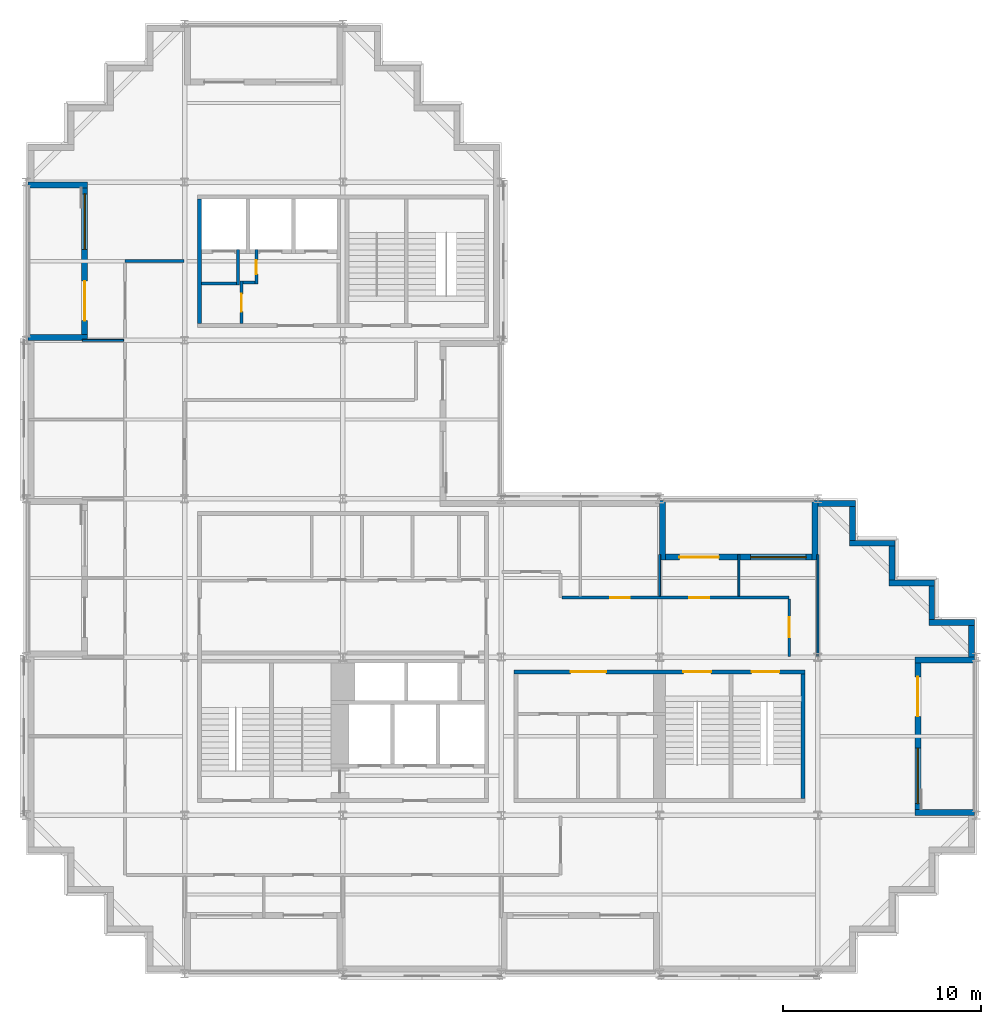
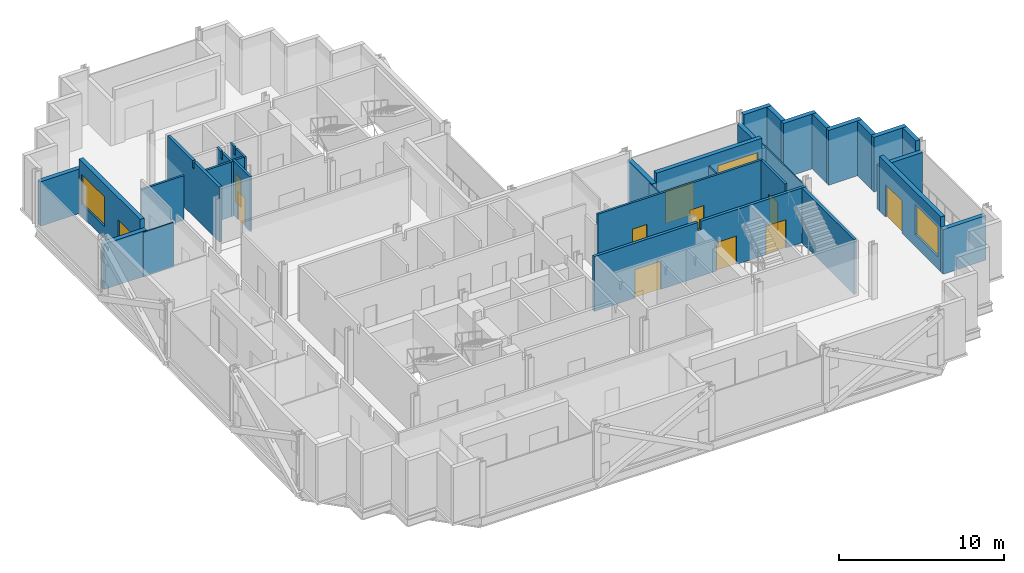
# One storey, part 7 of 11: 32 walls, 11 doors, 3 windows, 14 openings.
"""IFC4 building model written with IfcOpenShell, lengths in metres."""

from ifc_helpers import new_model, si_unit, direction, frame, frame_2d, origin, place, context, subcontext, project, spatial, polyline, rectangle, outline, extrude, material, layer, layer_set, type_object, element, fill, save


model = new_model("IFC4")

# Units and contexts
model_context = context("Model", 3, precision=1e-05, world=origin(), true_north=direction((0.0, 1.0)))
body_context = subcontext(model_context, "Body", "Model", "MODEL_VIEW")
ifc_project = project(units=[si_unit("LENGTHUNIT", "METRE"), si_unit("AREAUNIT", "SQUARE_METRE"), si_unit("VOLUMEUNIT", "CUBIC_METRE"), si_unit("PLANEANGLEUNIT", "RADIAN"), si_unit("MASSUNIT", "GRAM", prefix="KILO")], contexts=[model_context])

# Site, building, storey
site_placement = place(None, origin())
site = spatial("IfcSite", under=ifc_project, at=site_placement, CompositionType="ELEMENT")
building_placement = place(site_placement, origin())
building = spatial("IfcBuilding", under=site, at=building_placement, Name="Immortelle Media Tower", CompositionType="ELEMENT")
storey_placement = place(building_placement, frame((0.0, 0.0, 141.0)))
storey = spatial("IfcBuildingStorey", under=building, at=storey_placement, Name="L28", CompositionType="ELEMENT", Elevation=141.0)

# Walls
ifc_material_1 = material(Name="Fire-rated gypsum board", Category="gypsum")
ifc_layer_1 = layer(ifc_material_1, 0.02490234375)
ifc_material_2 = material(Name="Steel ASTM A653 SS Gr 50 stud frame with mineral wool", Category="steel")
ifc_layer_2 = layer(ifc_material_2, 0.10009765625)
ifc_layer_3 = layer(ifc_material_1, 0.02490234375)
ifc_layer_set_1 = layer_set([ifc_layer_1, ifc_layer_2, ifc_layer_3], Name="Steel ASTM A653 SS Gr 50 stud frame with mineral wool")
wall_type_1 = type_object("IfcWallType", Name="Core partition 150", PredefinedType="PARTITIONING", material=ifc_layer_set_1)
wall_1_placement = place(storey_placement, frame((8.85009765625, 34.875, 0.0), z_axis=(0.0, 0.0, 1.0), x_axis=(1.0, 0.0, 0.0)))
element("IfcWall", 1, at=wall_1_placement, inside=storey, type_object=wall_type_1, Name="Core partition NW", PredefinedType="PARTITIONING", context=body_context, shape_type="SweptSolid", body=[
    extrude(rectangle(XDim=1.77490234375, YDim=0.14990234375, at=frame_2d((0.887451171875, 0.0))), origin(), (0.0, 0.0, 1.0), 4.050048828125),
])
wall_2_placement = place(storey_placement, frame((10.699951171875, 34.800048828125, 0.0), z_axis=(0.0, 0.0, 1.0), x_axis=(0.0, 1.0, 0.0)))
element("IfcWall", 2, at=wall_2_placement, inside=storey, type_object=wall_type_1, Name="Core partition NW", PredefinedType="PARTITIONING", context=body_context, shape_type="SweptSolid", body=[
    extrude(outline(polyline([(0.0, 0.0), (1.800048828125, 0.0), (1.800048828125, 4.050048828125), (1.28759765625, 4.050048828125), (1.28662109375, 3.51806640625), (1.113525390625, 3.51806640625), (1.112548828125, 4.050048828125), (0.0, 4.050048828125), (0.0, 0.0)])), frame((0.0, 0.074951171875, 0.0), z_axis=(0.0, -1.0, 0.0), x_axis=(1.0, 0.0, 0.0)), (0.0, 0.0, 1.0), 0.14990234375),
])

# Wall, opening, door
wall_3_placement = place(storey_placement, frame((10.875, 32.85009765625, 0.0), z_axis=(0.0, 0.0, 1.0), x_axis=(0.0, 1.0, 0.0)))
wall_3 = element("IfcWall", 3, at=wall_3_placement, inside=storey, type_object=wall_type_1, Name="Core partition NW", PredefinedType="PARTITIONING", context=body_context, shape_type="SweptSolid", body=[
    extrude(rectangle(XDim=2.14990234375, YDim=0.14990234375, at=frame_2d((1.074951171875, 0.0))), origin(), (0.0, 0.0, 1.0), 4.050048828125),
])
opening_1_placement = place(wall_3_placement, frame((0.60009765625, 0.0, 0.0)))
opening_1 = element("IfcOpeningElement", 4, at=opening_1_placement, cuts=wall_3, Name="Opening C2-K023", PredefinedType="OPENING", context=body_context, shape_type="SweptSolid", body=[
    extrude(rectangle(XDim=0.89990234375, YDim=2.10009765625, at=frame_2d((0.449951171875, 1.050048828125))), frame((0.0, 0.0849609375, 0.0), z_axis=(0.0, -1.0, 0.0), x_axis=(1.0, 0.0, 0.0)), (0.0, 0.0, 1.0), 0.169921875),
])
ifc_material_3 = material(Name="Galvanised steel door leaf and frame ASTM A653", Category="steel")
door_type_1 = type_object("IfcDoorType", Name="Service door 900 x 2100", OperationType="NOTDEFINED", PredefinedType="NOTDEFINED", material=ifc_material_3)
door_1_placement = place(opening_1_placement, origin())
door_1 = element("IfcDoor", 5, at=door_1_placement, inside=storey, type_object=door_type_1, Name="Service C2-K023", OperationType="SINGLE_SWING_RIGHT", OverallHeight=2.10009765625, OverallWidth=0.89990234375, PredefinedType="NOTDEFINED", context=body_context, shape_type="SweptSolid", body=[
    extrude(rectangle(XDim=0.89990234375, YDim=2.10009765625, at=frame_2d((0.449951171875, 1.050048828125))), frame((0.0, 0.02490234375, 0.0), z_axis=(0.0, -1.0, 0.0), x_axis=(1.0, 0.0, 0.0)), (0.0, 0.0, 1.0), 0.050048828125),
])
fill(opening_1, door_1)

# Wall
wall_4_placement = place(storey_placement, frame((10.949951171875, 34.925048828125, 0.0), z_axis=(0.0, 0.0, 1.0), x_axis=(1.0, 0.0, 0.0)))
element("IfcWall", 6, at=wall_4_placement, inside=storey, type_object=wall_type_1, Name="Core partition NW", PredefinedType="PARTITIONING", context=body_context, shape_type="SweptSolid", body=[
    extrude(rectangle(XDim=0.60009765625, YDim=0.14990234375, at=frame_2d((0.300048828125, 0.0))), origin(), (0.0, 0.0, 1.0), 4.050048828125),
])

# Wall, opening, door
wall_5_placement = place(storey_placement, frame((11.625, 34.85009765625, 0.0), z_axis=(0.0, 0.0, 1.0), x_axis=(0.0, 1.0, 0.0)))
wall_5 = element("IfcWall", 7, at=wall_5_placement, inside=storey, type_object=wall_type_1, Name="Core partition NW", PredefinedType="PARTITIONING", context=body_context, shape_type="SweptSolid", body=[
    extrude(outline(polyline([(0.0, 0.0), (1.75, 0.0), (1.75, 4.050048828125), (1.237548828125, 4.050048828125), (1.236572265625, 3.51806640625), (1.0634765625, 3.51806640625), (1.0625, 4.050048828125), (0.0, 4.050048828125), (0.0, 0.0)])), frame((0.0, 0.074951171875, 0.0), z_axis=(0.0, -1.0, 0.0), x_axis=(1.0, 0.0, 0.0)), (0.0, 0.0, 1.0), 0.14990234375),
])
opening_2_placement = place(wall_5_placement, frame((0.5, 0.0, 0.0)))
opening_2 = element("IfcOpeningElement", 8, at=opening_2_placement, cuts=wall_5, Name="Opening C2-K024", PredefinedType="OPENING", context=body_context, shape_type="SweptSolid", body=[
    extrude(rectangle(XDim=0.699951171875, YDim=2.10009765625, at=frame_2d((0.35009765625, 1.050048828125))), frame((0.0, 0.0849609375, 0.0), z_axis=(0.0, -1.0, 0.0), x_axis=(1.0, 0.0, 0.0)), (0.0, 0.0, 1.0), 0.169921875),
])
door_type_2 = type_object("IfcDoorType", Name="Service door 700 x 2100", OperationType="NOTDEFINED", PredefinedType="NOTDEFINED", material=ifc_material_3)
door_2_placement = place(opening_2_placement, origin())
door_2 = element("IfcDoor", 9, at=door_2_placement, inside=storey, type_object=door_type_2, Name="Service C2-K024", OperationType="SINGLE_SWING_RIGHT", OverallHeight=2.10009765625, OverallWidth=0.699951171875, PredefinedType="NOTDEFINED", context=body_context, shape_type="SweptSolid", body=[
    extrude(rectangle(XDim=0.699951171875, YDim=2.10009765625, at=frame_2d((0.35009765625, 1.050048828125))), frame((0.0, 0.02490234375, 0.0), z_axis=(0.0, -1.0, 0.0), x_axis=(1.0, 0.0, 0.0)), (0.0, 0.0, 1.0), 0.050048828125),
])
fill(opening_2, door_2)

# Wall
ifc_layer_4 = layer(ifc_material_1, 0.03759765625)
ifc_layer_5 = layer(ifc_material_2, 0.125)
ifc_layer_6 = layer(ifc_material_1, 0.03759765625)
ifc_layer_set_2 = layer_set([ifc_layer_4, ifc_layer_5, ifc_layer_6], Name="Steel ASTM A653 SS Gr 50 stud frame with mineral wool")
wall_type_2 = type_object("IfcWallType", Name="Core shaft wall 200", PredefinedType="PARTITIONING", material=ifc_layer_set_2)
wall_6_placement = place(storey_placement, frame((8.75, 32.85009765625, 0.0), z_axis=(0.0, 0.0, 1.0), x_axis=(0.0, 1.0, 0.0)))
element("IfcWall", 10, at=wall_6_placement, inside=storey, type_object=wall_type_2, Name="Core shaft wall NW", PredefinedType="PARTITIONING", context=body_context, shape_type="SweptSolid", body=[
    extrude(outline(polyline([(0.0, 0.0), (6.2998046875, 0.0), (6.300048828125, 4.050048828125), (3.237548828125, 4.050048828125), (3.236572265625, 3.51806640625), (3.0634765625, 3.51806640625), (3.0625, 4.050048828125), (0.0, 4.050048828125), (0.0, 0.0)])), frame((0.0, 0.10009765625, 0.0), z_axis=(0.0, -1.0, 0.0), x_axis=(1.0, 0.0, 0.0)), (0.0, 0.0, 1.0), 0.199951171875),
])

# Wall, opening, door
ifc_layer_7 = layer(ifc_material_1, 0.012451171875)
ifc_layer_8 = layer(ifc_material_2, 0.125)
ifc_layer_9 = layer(ifc_material_1, 0.012451171875)
ifc_layer_set_3 = layer_set([ifc_layer_7, ifc_layer_8, ifc_layer_9], Name="Steel ASTM A653 SS Gr 50 stud frame with mineral wool")
wall_type_3 = type_object("IfcWallType", Name="Corridor wall 150", PredefinedType="PARTITIONING", material=ifc_layer_set_3)
wall_7_placement = place(storey_placement, frame((38.550048828125, 16.030029296875, 0.0), z_axis=(0.0, 0.0, 1.0), x_axis=(0.0, 1.0, 0.0)))
wall_7 = element("IfcWall", 11, at=wall_7_placement, inside=storey, type_object=wall_type_3, Name="Partition L28-010", PredefinedType="PARTITIONING", context=body_context, shape_type="SweptSolid", body=[
    extrude(rectangle(XDim=2.89501953125, YDim=0.14990234375, at=frame_2d((1.447509765625, 0.0))), origin(), (0.0, 0.0, 1.0), 4.050048828125),
])
opening_3_placement = place(wall_7_placement, frame((1.969970703125, 0.0, 0.0), z_axis=(0.0, 0.0, 1.0), x_axis=(-1.0, 0.0, 0.0)))
opening_3 = element("IfcOpeningElement", 12, at=opening_3_placement, cuts=wall_7, Name="Opening C2-F008", PredefinedType="OPENING", context=body_context, shape_type="SweptSolid", body=[
    extrude(rectangle(XDim=1.0, YDim=2.10009765625, at=frame_2d((0.5, 1.050048828125))), frame((0.0, 0.0849609375, 0.0), z_axis=(0.0, -1.0, 0.0), x_axis=(1.0, 0.0, 0.0)), (0.0, 0.0, 1.0), 0.169921875),
])
ifc_material_4 = material(Name="Timber veneered door leaf, galvanised steel frame ASTM A653", Category="steel")
door_type_3 = type_object("IfcDoorType", Name="Room door 1000 x 2100", OperationType="NOTDEFINED", PredefinedType="DOOR", material=ifc_material_4)
door_3_placement = place(opening_3_placement, origin())
door_3 = element("IfcDoor", 13, at=door_3_placement, inside=storey, type_object=door_type_3, Name="Door C2-F008", OperationType="SINGLE_SWING_RIGHT", OverallHeight=2.10009765625, OverallWidth=1.0, PredefinedType="DOOR", context=body_context, shape_type="SweptSolid", body=[
    extrude(rectangle(XDim=1.0, YDim=2.10009765625, at=frame_2d((0.5, 1.050048828125))), frame((0.0, 0.02490234375, 0.0), z_axis=(0.0, -1.0, 0.0), x_axis=(1.0, 0.0, 0.0)), (0.0, 0.0, 1.0), 0.050048828125),
])
fill(opening_3, door_3)

# Wall, openings, doors
wall_8_placement = place(storey_placement, frame((27.074951171875, 19.0, 0.0), z_axis=(0.0, 0.0, 1.0), x_axis=(1.0, 0.0, 0.0)))
wall_8 = element("IfcWall", 14, at=wall_8_placement, inside=storey, type_object=wall_type_3, Name="Partition L28-012", PredefinedType="PARTITIONING", context=body_context, shape_type="SweptSolid", body=[
    extrude(rectangle(XDim=11.47509765625, YDim=0.14990234375, at=frame_2d((5.737548828125, 0.0))), origin(), (0.0, 0.0, 1.0), 4.050048828125),
])
opening_4_placement = place(wall_8_placement, frame((6.425048828125, 0.0, 0.0)))
opening_4 = element("IfcOpeningElement", 15, at=opening_4_placement, cuts=wall_8, Name="Opening C2-F007", PredefinedType="OPENING", context=body_context, shape_type="SweptSolid", body=[
    extrude(rectangle(XDim=1.0, YDim=2.10009765625, at=frame_2d((0.5, 1.050048828125))), frame((0.0, 0.0849609375, 0.0), z_axis=(0.0, -1.0, 0.0), x_axis=(1.0, 0.0, 0.0)), (0.0, 0.0, 1.0), 0.169921875),
])
opening_5_placement = place(wall_8_placement, frame((2.425048828125, 0.0, 0.0)))
opening_5 = element("IfcOpeningElement", 16, at=opening_5_placement, cuts=wall_8, Name="Opening C2-F012", PredefinedType="OPENING", context=body_context, shape_type="SweptSolid", body=[
    extrude(rectangle(XDim=1.0, YDim=2.10009765625, at=frame_2d((0.5, 1.050048828125))), frame((0.0, 0.0849609375, 0.0), z_axis=(0.0, -1.0, 0.0), x_axis=(1.0, 0.0, 0.0)), (0.0, 0.0, 1.0), 0.169921875),
])
door_4_placement = place(opening_4_placement, origin())
door_4 = element("IfcDoor", 17, at=door_4_placement, inside=storey, type_object=door_type_3, Name="Door C2-F007", OperationType="SINGLE_SWING_LEFT", OverallHeight=2.10009765625, OverallWidth=1.0, PredefinedType="DOOR", context=body_context, shape_type="SweptSolid", body=[
    extrude(rectangle(XDim=1.0, YDim=2.10009765625, at=frame_2d((0.5, 1.050048828125))), frame((0.0, 0.02490234375, 0.0), z_axis=(0.0, -1.0, 0.0), x_axis=(1.0, 0.0, 0.0)), (0.0, 0.0, 1.0), 0.050048828125),
])
fill(opening_4, door_4)
door_5_placement = place(opening_5_placement, origin())
door_5 = element("IfcDoor", 18, at=door_5_placement, inside=storey, type_object=door_type_3, Name="Door C2-F012", OperationType="SINGLE_SWING_LEFT", OverallHeight=2.10009765625, OverallWidth=1.0, PredefinedType="DOOR", context=body_context, shape_type="SweptSolid", body=[
    extrude(rectangle(XDim=1.0, YDim=2.10009765625, at=frame_2d((0.5, 1.050048828125))), frame((0.0, 0.02490234375, 0.0), z_axis=(0.0, -1.0, 0.0), x_axis=(1.0, 0.0, 0.0)), (0.0, 0.0, 1.0), 0.050048828125),
])
fill(opening_5, door_5)

# Wall
wall_9_placement = place(storey_placement, frame((5.0, 36.0, 0.0), z_axis=(0.0, 0.0, 1.0), x_axis=(1.0, 0.0, 0.0)))
element("IfcWall", 19, at=wall_9_placement, inside=storey, type_object=wall_type_3, Name="Partition L28-025", PredefinedType="PARTITIONING", context=body_context, shape_type="SweptSolid", body=[
    extrude(rectangle(XDim=2.969970703125, YDim=0.14990234375, at=frame_2d((1.48486328125, 0.0))), origin(), (0.0, 0.0, 1.0), 3.2880859375),
])

# Wall, openings, door, window
ifc_material_5 = material(Name="Pale aluminium cladding panel", Category="aluminium")
ifc_layer_10 = layer(ifc_material_5, 0.030029296875)
ifc_layer_11 = layer(ifc_material_2, 0.257568359375)
ifc_material_6 = material(Name="Moisture-resistant gypsum board", Category="gypsum")
ifc_layer_12 = layer(ifc_material_6, 0.012451171875)
ifc_layer_set_4 = layer_set([ifc_layer_10, ifc_layer_11, ifc_layer_12], Name="Steel ASTM A653 SS Gr 50 stud frame with mineral wool")
wall_type_4 = type_object("IfcWallType", Name="Facade wall 300", PredefinedType="SOLIDWALL", material=ifc_layer_set_4)
wall_10_placement = place(storey_placement, frame((45.050048828125, 8.300048828125, 0.0), z_axis=(0.0, 0.0, 1.0), x_axis=(0.0, 1.0, 0.0)))
wall_10 = element("IfcWall", 20, at=wall_10_placement, inside=storey, type_object=wall_type_4, Name="Loggia wall L28 E13", PredefinedType="SOLIDWALL", context=body_context, shape_type="SweptSolid", body=[
    extrude(rectangle(XDim=7.39990234375, YDim=0.300048828125, at=frame_2d((3.699951171875, 0.0))), origin(), (0.0, 0.0, 1.0), 4.050048828125),
])
opening_6_placement = place(wall_10_placement, frame((0.300048828125, 0.0, 0.89990234375)))
opening_6 = element("IfcOpeningElement", 21, at=opening_6_placement, cuts=wall_10, Name="Opening W1", PredefinedType="OPENING", context=body_context, shape_type="SweptSolid", body=[
    extrude(rectangle(XDim=2.800048828125, YDim=2.199951171875, at=frame_2d((1.39990234375, 1.10009765625))), frame((0.0, 0.159912109375, 0.0), z_axis=(0.0, -1.0, 0.0), x_axis=(1.0, 0.0, 0.0)), (0.0, 0.0, 1.0), 0.320068359375),
])
opening_7_placement = place(wall_10_placement, frame((4.699951171875, 0.0, 0.0)))
opening_7 = element("IfcOpeningElement", 22, at=opening_7_placement, cuts=wall_10, Name="Opening C2-E003", PredefinedType="OPENING", context=body_context, shape_type="SweptSolid", body=[
    extrude(rectangle(XDim=2.0, YDim=2.39990234375, at=frame_2d((1.0, 1.199951171875))), frame((0.0, 0.159912109375, 0.0), z_axis=(0.0, -1.0, 0.0), x_axis=(1.0, 0.0, 0.0)), (0.0, 0.0, 1.0), 0.320068359375),
])
ifc_material_7 = material(Name="Aluminium frame, glazed leaves", Category="aluminium")
door_type_4 = type_object("IfcDoorType", Name="Loggia door 2000 x 2400", OperationType="DOUBLE_DOOR_SINGLE_SWING", PredefinedType="DOOR", material=ifc_material_7)
door_6_placement = place(opening_7_placement, origin())
door_6 = element("IfcDoor", 23, at=door_6_placement, inside=storey, type_object=door_type_4, Name="Door C2-E003", OperationType="DOUBLE_DOOR_SINGLE_SWING", OverallHeight=2.39990234375, OverallWidth=2.0, PredefinedType="DOOR", context=body_context, shape_type="SweptSolid", body=[
    extrude(rectangle(XDim=2.0, YDim=2.39990234375, at=frame_2d((1.0, 1.199951171875))), frame((0.0, 0.02490234375, 0.0), z_axis=(0.0, -1.0, 0.0), x_axis=(1.0, 0.0, 0.0)), (0.0, 0.0, 1.0), 0.050048828125),
])
fill(opening_7, door_6)
ifc_material_8 = material(Name="Aluminium frame", Category="aluminium")
window_type = type_object("IfcWindowType", Name="Window 2800 x 2200", PartitioningType="SINGLE_PANEL", PredefinedType="WINDOW", material=ifc_material_8)
window_1_placement = place(opening_6_placement, origin())
window_1 = element("IfcWindow", 24, at=window_1_placement, inside=storey, type_object=window_type, Name="Window L28 L28-R13-B0", OverallHeight=2.199951171875, OverallWidth=2.800048828125, PartitioningType="SINGLE_PANEL", PredefinedType="WINDOW", context=body_context, shape_type="SweptSolid", body=[
    extrude(rectangle(XDim=2.800048828125, YDim=2.199951171875, at=frame_2d((1.39990234375, 1.10009765625))), frame((0.0, 0.030029296875, 0.0), z_axis=(0.0, -1.0, 0.0), x_axis=(1.0, 0.0, 0.0)), (0.0, 0.0, 1.0), 0.06005859375),
])
fill(opening_6, window_1)

# Walls
for number, where, z_axis, x_axis, name in (
    (25, (47.89990234375, 8.14990234375, 0.0), (0.0, 0.0, 1.0), (-1.0, 0.0, 0.0), "Loggia cheek wall L28 E"),
    (26, (47.89990234375, 15.85009765625, 0.0), (0.0, 0.0, 1.0), (-1.0, 0.0, 0.0), "Loggia cheek wall L28 E"),
):
    element("IfcWall", number, at=place(storey_placement, frame(where, z_axis=z_axis, x_axis=x_axis)), inside=storey, type_object=wall_type_4, Name=name, PredefinedType="SOLIDWALL", context=body_context, shape_type="SweptSolid", body=[
        extrude(rectangle(XDim=3.0, YDim=0.300048828125, at=frame_2d((1.5, 0.0))), origin(), (0.0, 0.0, 1.0), 3.287109375),
    ])
wall_11_placement = place(storey_placement, frame((47.75, 16.0, 0.0), z_axis=(0.0, 0.0, 1.0), x_axis=(0.0, 1.0, 0.0)))
element("IfcWall", 27, at=wall_11_placement, inside=storey, type_object=wall_type_4, Name="Facade wall L28 E13", PredefinedType="SOLIDWALL", context=body_context, shape_type="SweptSolid", body=[
    extrude(rectangle(XDim=1.60009765625, YDim=0.300048828125, at=frame_2d((0.800048828125, 0.0))), origin(), (0.0, 0.0, 1.0), 4.050048828125),
])
wall_12_placement = place(storey_placement, frame((47.89990234375, 17.75, 0.0), z_axis=(0.0, 0.0, 1.0), x_axis=(-1.0, 0.0, 0.0)))
element("IfcWall", 28, at=wall_12_placement, inside=storey, type_object=wall_type_4, Name="Facade wall L28 N14", PredefinedType="SOLIDWALL", context=body_context, shape_type="SweptSolid", body=[
    extrude(rectangle(XDim=2.2998046875, YDim=0.300048828125, at=frame_2d((1.14990234375, 0.0))), origin(), (0.0, 0.0, 1.0), 4.050048828125),
])
wall_13_placement = place(storey_placement, frame((45.75, 17.89990234375, 0.0), z_axis=(0.0, 0.0, 1.0), x_axis=(0.0, 1.0, 0.0)))
element("IfcWall", 29, at=wall_13_placement, inside=storey, type_object=wall_type_4, Name="Facade wall L28 E15", PredefinedType="SOLIDWALL", context=body_context, shape_type="SweptSolid", body=[
    extrude(rectangle(XDim=1.7001953125, YDim=0.300048828125, at=frame_2d((0.85009765625, 0.0))), origin(), (0.0, 0.0, 1.0), 4.050048828125),
])
wall_14_placement = place(storey_placement, frame((45.89990234375, 19.75, 0.0), z_axis=(0.0, 0.0, 1.0), x_axis=(-1.0, 0.0, 0.0)))
element("IfcWall", 30, at=wall_14_placement, inside=storey, type_object=wall_type_4, Name="Facade wall L28 N16", PredefinedType="SOLIDWALL", context=body_context, shape_type="SweptSolid", body=[
    extrude(rectangle(XDim=2.2998046875, YDim=0.300048828125, at=frame_2d((1.14990234375, 0.0))), origin(), (0.0, 0.0, 1.0), 4.050048828125),
])
wall_15_placement = place(storey_placement, frame((43.75, 19.89990234375, 0.0), z_axis=(0.0, 0.0, 1.0), x_axis=(0.0, 1.0, 0.0)))
element("IfcWall", 31, at=wall_15_placement, inside=storey, type_object=wall_type_4, Name="Facade wall L28 E17", PredefinedType="SOLIDWALL", context=body_context, shape_type="SweptSolid", body=[
    extrude(rectangle(XDim=1.7001953125, YDim=0.300048828125, at=frame_2d((0.85009765625, 0.0))), origin(), (0.0, 0.0, 1.0), 4.050048828125),
])
wall_16_placement = place(storey_placement, frame((43.89990234375, 21.75, 0.0), z_axis=(0.0, 0.0, 1.0), x_axis=(-1.0, 0.0, 0.0)))
element("IfcWall", 32, at=wall_16_placement, inside=storey, type_object=wall_type_4, Name="Facade wall L28 N18", PredefinedType="SOLIDWALL", context=body_context, shape_type="SweptSolid", body=[
    extrude(rectangle(XDim=2.2998046875, YDim=0.300048828125, at=frame_2d((1.14990234375, 0.0))), origin(), (0.0, 0.0, 1.0), 4.050048828125),
])
wall_17_placement = place(storey_placement, frame((41.75, 21.89990234375, 0.0), z_axis=(0.0, 0.0, 1.0), x_axis=(0.0, 1.0, 0.0)))
element("IfcWall", 33, at=wall_17_placement, inside=storey, type_object=wall_type_4, Name="Facade wall L28 E19", PredefinedType="SOLIDWALL", context=body_context, shape_type="SweptSolid", body=[
    extrude(rectangle(XDim=1.7001953125, YDim=0.300048828125, at=frame_2d((0.85009765625, 0.0))), origin(), (0.0, 0.0, 1.0), 4.050048828125),
])
wall_18_placement = place(storey_placement, frame((41.89990234375, 23.75, 0.0), z_axis=(0.0, 0.0, 1.0), x_axis=(-1.0, 0.0, 0.0)))
element("IfcWall", 34, at=wall_18_placement, inside=storey, type_object=wall_type_4, Name="Facade wall L28 N20", PredefinedType="SOLIDWALL", context=body_context, shape_type="SweptSolid", body=[
    extrude(rectangle(XDim=1.89990234375, YDim=0.300048828125, at=frame_2d((0.949951171875, 0.0))), origin(), (0.0, 0.0, 1.0), 4.050048828125),
])

# Wall, openings, door, window
wall_19_placement = place(storey_placement, frame((39.699951171875, 21.050048828125, 0.0), z_axis=(0.0, 0.0, 1.0), x_axis=(-1.0, 0.0, 0.0)))
wall_19 = element("IfcWall", 35, at=wall_19_placement, inside=storey, type_object=wall_type_4, Name="Loggia wall L28 N20", PredefinedType="SOLIDWALL", context=body_context, shape_type="SweptSolid", body=[
    extrude(rectangle(XDim=7.39990234375, YDim=0.300048828125, at=frame_2d((3.699951171875, 0.0))), origin(), (0.0, 0.0, 1.0), 4.050048828125),
])
opening_8_placement = place(wall_19_placement, frame((0.300048828125, 0.0, 0.89990234375)))
opening_8 = element("IfcOpeningElement", 36, at=opening_8_placement, cuts=wall_19, Name="Opening W1", PredefinedType="OPENING", context=body_context, shape_type="SweptSolid", body=[
    extrude(rectangle(XDim=2.800048828125, YDim=2.199951171875, at=frame_2d((1.39990234375, 1.10009765625))), frame((0.0, 0.159912109375, 0.0), z_axis=(0.0, -1.0, 0.0), x_axis=(1.0, 0.0, 0.0)), (0.0, 0.0, 1.0), 0.320068359375),
])
opening_9_placement = place(wall_19_placement, frame((4.699951171875, 0.0, 0.0)))
opening_9 = element("IfcOpeningElement", 37, at=opening_9_placement, cuts=wall_19, Name="Opening C2-E004", PredefinedType="OPENING", context=body_context, shape_type="SweptSolid", body=[
    extrude(rectangle(XDim=2.0, YDim=2.39990234375, at=frame_2d((1.0, 1.199951171875))), frame((0.0, 0.159912109375, 0.0), z_axis=(0.0, -1.0, 0.0), x_axis=(1.0, 0.0, 0.0)), (0.0, 0.0, 1.0), 0.320068359375),
])
door_7_placement = place(opening_9_placement, origin())
door_7 = element("IfcDoor", 38, at=door_7_placement, inside=storey, type_object=door_type_4, Name="Door C2-E004", OperationType="DOUBLE_DOOR_SINGLE_SWING", OverallHeight=2.39990234375, OverallWidth=2.0, PredefinedType="DOOR", context=body_context, shape_type="SweptSolid", body=[
    extrude(rectangle(XDim=2.0, YDim=2.39990234375, at=frame_2d((1.0, 1.199951171875))), frame((0.0, 0.02490234375, 0.0), z_axis=(0.0, -1.0, 0.0), x_axis=(1.0, 0.0, 0.0)), (0.0, 0.0, 1.0), 0.050048828125),
])
fill(opening_9, door_7)
window_2_placement = place(opening_8_placement, origin())
window_2 = element("IfcWindow", 39, at=window_2_placement, inside=storey, type_object=window_type, Name="Window L28 L28-R20-B0", OverallHeight=2.199951171875, OverallWidth=2.800048828125, PartitioningType="SINGLE_PANEL", PredefinedType="WINDOW", context=body_context, shape_type="SweptSolid", body=[
    extrude(rectangle(XDim=2.800048828125, YDim=2.199951171875, at=frame_2d((1.39990234375, 1.10009765625))), frame((0.0, 0.030029296875, 0.0), z_axis=(0.0, -1.0, 0.0), x_axis=(1.0, 0.0, 0.0)), (0.0, 0.0, 1.0), 0.06005859375),
])
fill(opening_8, window_2)

# Walls
wall_20_placement = place(storey_placement, frame((39.85009765625, 23.89990234375, 0.0), z_axis=(0.0, 0.0, 1.0), x_axis=(0.0, -1.0, 0.0)))
element("IfcWall", 40, at=wall_20_placement, inside=storey, type_object=wall_type_4, Name="Loggia cheek wall L28 N", PredefinedType="SOLIDWALL", context=body_context, shape_type="SweptSolid", body=[
    extrude(rectangle(XDim=3.0, YDim=0.300048828125, at=frame_2d((1.5, 0.0))), origin(), (0.0, 0.0, 1.0), 3.287109375),
])
wall_21_placement = place(storey_placement, frame((32.14990234375, 23.89990234375, 0.0), z_axis=(0.0, 0.0, 1.0), x_axis=(0.0, -1.0, 0.0)))
element("IfcWall", 41, at=wall_21_placement, inside=storey, type_object=wall_type_4, Name="Loggia cheek wall L28 N", PredefinedType="SOLIDWALL", context=body_context, shape_type="SweptSolid", body=[
    extrude(rectangle(XDim=3.0, YDim=0.300048828125, at=frame_2d((1.5, 0.0))), origin(), (0.0, 0.0, 1.0), 3.35595703125),
])

# Wall, openings, door, window
wall_22_placement = place(storey_placement, frame((2.949951171875, 39.699951171875, 0.0), z_axis=(0.0, 0.0, 1.0), x_axis=(0.0, -1.0, 0.0)))
wall_22 = element("IfcWall", 42, at=wall_22_placement, inside=storey, type_object=wall_type_4, Name="Loggia wall L28 W35", PredefinedType="SOLIDWALL", context=body_context, shape_type="SweptSolid", body=[
    extrude(rectangle(XDim=7.39990234375, YDim=0.300048828125, at=frame_2d((3.699951171875, 0.0))), origin(), (0.0, 0.0, 1.0), 4.050048828125),
])
opening_10_placement = place(wall_22_placement, frame((0.300048828125, 0.0, 0.89990234375)))
opening_10 = element("IfcOpeningElement", 43, at=opening_10_placement, cuts=wall_22, Name="Opening W1", PredefinedType="OPENING", context=body_context, shape_type="SweptSolid", body=[
    extrude(rectangle(XDim=2.800048828125, YDim=2.199951171875, at=frame_2d((1.39990234375, 1.10009765625))), frame((0.0, 0.159912109375, 0.0), z_axis=(0.0, -1.0, 0.0), x_axis=(1.0, 0.0, 0.0)), (0.0, 0.0, 1.0), 0.320068359375),
])
opening_11_placement = place(wall_22_placement, frame((4.699951171875, 0.0, 0.0)))
opening_11 = element("IfcOpeningElement", 44, at=opening_11_placement, cuts=wall_22, Name="Opening C2-E007", PredefinedType="OPENING", context=body_context, shape_type="SweptSolid", body=[
    extrude(rectangle(XDim=2.0, YDim=2.39990234375, at=frame_2d((1.0, 1.199951171875))), frame((0.0, 0.159912109375, 0.0), z_axis=(0.0, -1.0, 0.0), x_axis=(1.0, 0.0, 0.0)), (0.0, 0.0, 1.0), 0.320068359375),
])
door_8_placement = place(opening_11_placement, origin())
door_8 = element("IfcDoor", 45, at=door_8_placement, inside=storey, type_object=door_type_4, Name="Door C2-E007", OperationType="DOUBLE_DOOR_SINGLE_SWING", OverallHeight=2.39990234375, OverallWidth=2.0, PredefinedType="DOOR", context=body_context, shape_type="SweptSolid", body=[
    extrude(rectangle(XDim=2.0, YDim=2.39990234375, at=frame_2d((1.0, 1.199951171875))), frame((0.0, 0.02490234375, 0.0), z_axis=(0.0, -1.0, 0.0), x_axis=(1.0, 0.0, 0.0)), (0.0, 0.0, 1.0), 0.050048828125),
])
fill(opening_11, door_8)
window_3_placement = place(opening_10_placement, origin())
window_3 = element("IfcWindow", 46, at=window_3_placement, inside=storey, type_object=window_type, Name="Window L28 L28-R35-B0", OverallHeight=2.199951171875, OverallWidth=2.800048828125, PartitioningType="SINGLE_PANEL", PredefinedType="WINDOW", context=body_context, shape_type="SweptSolid", body=[
    extrude(rectangle(XDim=2.800048828125, YDim=2.199951171875, at=frame_2d((1.39990234375, 1.10009765625))), frame((0.0, 0.030029296875, 0.0), z_axis=(0.0, -1.0, 0.0), x_axis=(1.0, 0.0, 0.0)), (0.0, 0.0, 1.0), 0.06005859375),
])
fill(opening_10, window_3)

# Walls
wall_23_placement = place(storey_placement, frame((0.10009765625, 39.85009765625, 0.0), z_axis=(0.0, 0.0, 1.0), x_axis=(1.0, 0.0, 0.0)))
element("IfcWall", 47, at=wall_23_placement, inside=storey, type_object=wall_type_4, Name="Loggia cheek wall L28 W", PredefinedType="SOLIDWALL", context=body_context, shape_type="SweptSolid", body=[
    extrude(rectangle(XDim=3.0, YDim=0.300048828125, at=frame_2d((1.5, 0.0))), origin(), (0.0, 0.0, 1.0), 3.287109375),
])
wall_24_placement = place(storey_placement, frame((0.10009765625, 32.14990234375, 0.0), z_axis=(0.0, 0.0, 1.0), x_axis=(1.0, 0.0, 0.0)))
element("IfcWall", 48, at=wall_24_placement, inside=storey, type_object=wall_type_4, Name="Loggia cheek wall L28 W", PredefinedType="SOLIDWALL", context=body_context, shape_type="SweptSolid", body=[
    extrude(rectangle(XDim=3.0, YDim=0.300048828125, at=frame_2d((1.5, 0.0))), origin(), (0.0, 0.0, 1.0), 3.35595703125),
])
ifc_material_9 = material(Name="Gypsum board", Category="gypsum")
ifc_layer_13 = layer(ifc_material_9, 0.012451171875)
ifc_layer_14 = layer(ifc_material_2, 0.074951171875)
ifc_layer_15 = layer(ifc_material_9, 0.012451171875)
ifc_layer_set_5 = layer_set([ifc_layer_13, ifc_layer_14, ifc_layer_15], Name="Steel ASTM A653 SS Gr 50 stud frame with mineral wool")
wall_type_5 = type_object("IfcWallType", Name="Partition 100", PredefinedType="PARTITIONING", material=ifc_layer_set_5)
wall_25_placement = place(storey_placement, frame((40.0, 16.030029296875, 0.0), z_axis=(0.0, 0.0, 1.0), x_axis=(0.0, 1.0, 0.0)))
element("IfcWall", 49, at=wall_25_placement, inside=storey, type_object=wall_type_5, Name="Partition L28-011", PredefinedType="PARTITIONING", context=body_context, shape_type="SweptSolid", body=[
    extrude(rectangle(XDim=5.139892578125, YDim=0.10009765625, at=frame_2d((2.56982421875, 0.0))), origin(), (0.0, 0.0, 1.0), 3.2880859375),
])
for number, where, z_axis, x_axis, name in (
    (50, (32.0, 19.074951171875, 0.0), (0.0, 0.0, 1.0), (0.0, 1.0, 0.0), "Partition L28-015"),
    (51, (36.0, 19.074951171875, 0.0), (0.0, 0.0, 1.0), (0.0, 1.0, 0.0), "Partition L28-016"),
    (52, (2.830078125, 32.0, 0.0), (0.0, 0.0, 1.0), (1.0, 0.0, 0.0), "Partition L28-024"),
):
    element("IfcWall", number, at=place(storey_placement, frame(where, z_axis=z_axis, x_axis=x_axis)), inside=storey, type_object=wall_type_5, Name=name, PredefinedType="PARTITIONING", context=body_context, shape_type="SweptSolid", body=[
        extrude(rectangle(XDim=2.094970703125, YDim=0.10009765625, at=frame_2d((1.04736328125, 0.0))), origin(), (0.0, 0.0, 1.0), 3.2880859375),
    ])

# Wall, openings, doors
ifc_material_10 = material(Name="Concrete C60", Category="concrete")
ifc_layer_16 = layer(ifc_material_10, 0.199951171875)
ifc_layer_set_6 = layer_set([ifc_layer_16], Name="Concrete C60")
wall_type_6 = type_object("IfcWallType", Name="Stair shaft wall 200", PredefinedType="PARTITIONING", material=ifc_layer_set_6)
wall_26_placement = place(storey_placement, frame((24.64990234375, 15.25, 0.0), z_axis=(0.0, 0.0, 1.0), x_axis=(1.0, 0.0, 0.0)))
wall_26 = element("IfcWall", 53, at=wall_26_placement, inside=storey, type_object=wall_type_6, Name="Stair shaft wall SE", PredefinedType="PARTITIONING", context=body_context, shape_type="SweptSolid", body=[
    extrude(outline(polyline([(0.0, 0.0), (14.7001953125, 0.0), (14.699951171875, 4.050048828125), (7.469482421875, 4.050048828125), (7.468505859375, 3.431884765625), (7.2314453125, 3.431884765625), (7.23046875, 4.050048828125), (0.0, 4.050048828125), (0.0, 0.0)])), frame((0.0, 0.10009765625, 0.0), z_axis=(0.0, -1.0, 0.0), x_axis=(1.0, 0.0, 0.0)), (0.0, 0.0, 1.0), 0.199951171875),
])
opening_12_placement = place(wall_26_placement, frame((2.85009765625, 0.0, 0.0)))
opening_12 = element("IfcOpeningElement", 54, at=opening_12_placement, cuts=wall_26, Name="Opening C2-K017", PredefinedType="OPENING", context=body_context, shape_type="SweptSolid", body=[
    extrude(rectangle(XDim=1.800048828125, YDim=2.10009765625, at=frame_2d((0.89990234375, 1.050048828125))), frame((0.0, 0.10986328125, 0.0), z_axis=(0.0, -1.0, 0.0), x_axis=(1.0, 0.0, 0.0)), (0.0, 0.0, 1.0), 0.219970703125),
])
opening_13_placement = place(wall_26_placement, frame((9.949951171875, 0.0, 0.0), z_axis=(0.0, 0.0, 1.0), x_axis=(-1.0, 0.0, 0.0)))
opening_13 = element("IfcOpeningElement", 55, at=opening_13_placement, cuts=wall_26, Name="Opening C2-K020", PredefinedType="OPENING", context=body_context, shape_type="SweptSolid", body=[
    extrude(rectangle(XDim=1.39990234375, YDim=2.10009765625, at=frame_2d((0.699951171875, 1.050048828125))), frame((0.0, 0.10986328125, 0.0), z_axis=(0.0, -1.0, 0.0), x_axis=(1.0, 0.0, 0.0)), (0.0, 0.0, 1.0), 0.219970703125),
])
opening_14_placement = place(wall_26_placement, frame((13.39990234375, 0.0, 0.0), z_axis=(0.0, 0.0, 1.0), x_axis=(-1.0, 0.0, 0.0)))
opening_14 = element("IfcOpeningElement", 56, at=opening_14_placement, cuts=wall_26, Name="Opening C2-K021", PredefinedType="OPENING", context=body_context, shape_type="SweptSolid", body=[
    extrude(rectangle(XDim=1.39990234375, YDim=2.10009765625, at=frame_2d((0.699951171875, 1.050048828125))), frame((0.0, 0.10986328125, 0.0), z_axis=(0.0, -1.0, 0.0), x_axis=(1.0, 0.0, 0.0)), (0.0, 0.0, 1.0), 0.219970703125),
])
door_type_5 = type_object("IfcDoorType", Name="Lift lobby door 1800 x 2100", OperationType="DOUBLE_DOOR_SINGLE_SWING", PredefinedType="NOTDEFINED", material=ifc_material_3)
door_9_placement = place(opening_12_placement, origin())
door_9 = element("IfcDoor", 57, at=door_9_placement, inside=storey, type_object=door_type_5, Name="Lift lobby C2-K017", OperationType="DOUBLE_DOOR_SINGLE_SWING", OverallHeight=2.10009765625, OverallWidth=1.800048828125, PredefinedType="NOTDEFINED", context=body_context, shape_type="SweptSolid", body=[
    extrude(rectangle(XDim=1.800048828125, YDim=2.10009765625, at=frame_2d((0.89990234375, 1.050048828125))), frame((0.0, 0.02490234375, 0.0), z_axis=(0.0, -1.0, 0.0), x_axis=(1.0, 0.0, 0.0)), (0.0, 0.0, 1.0), 0.050048828125),
])
fill(opening_12, door_9)
door_type_6 = type_object("IfcDoorType", Name="Stair door 1400 x 2100", OperationType="DOUBLE_DOOR_SINGLE_SWING", PredefinedType="NOTDEFINED", material=ifc_material_3)
door_10_placement = place(opening_13_placement, origin())
door_10 = element("IfcDoor", 58, at=door_10_placement, inside=storey, type_object=door_type_6, Name="Stair C2-K020", OperationType="DOUBLE_DOOR_SINGLE_SWING", OverallHeight=2.10009765625, OverallWidth=1.39990234375, PredefinedType="NOTDEFINED", context=body_context, shape_type="SweptSolid", body=[
    extrude(rectangle(XDim=1.39990234375, YDim=2.10009765625, at=frame_2d((0.699951171875, 1.050048828125))), frame((0.0, 0.02490234375, 0.0), z_axis=(0.0, -1.0, 0.0), x_axis=(1.0, 0.0, 0.0)), (0.0, 0.0, 1.0), 0.050048828125),
])
fill(opening_13, door_10)
door_11_placement = place(opening_14_placement, origin())
door_11 = element("IfcDoor", 59, at=door_11_placement, inside=storey, type_object=door_type_6, Name="Stair C2-K021", OperationType="DOUBLE_DOOR_SINGLE_SWING", OverallHeight=2.10009765625, OverallWidth=1.39990234375, PredefinedType="NOTDEFINED", context=body_context, shape_type="SweptSolid", body=[
    extrude(rectangle(XDim=1.39990234375, YDim=2.10009765625, at=frame_2d((0.699951171875, 1.050048828125))), frame((0.0, 0.02490234375, 0.0), z_axis=(0.0, -1.0, 0.0), x_axis=(1.0, 0.0, 0.0)), (0.0, 0.0, 1.0), 0.050048828125),
])
fill(opening_14, door_11)

# Wall
wall_27_placement = place(storey_placement, frame((39.25, 8.85009765625, 0.0), z_axis=(0.0, 0.0, 1.0), x_axis=(0.0, 1.0, 0.0)))
element("IfcWall", 60, at=wall_27_placement, inside=storey, type_object=wall_type_6, Name="Stair shaft wall SE", PredefinedType="PARTITIONING", context=body_context, shape_type="SweptSolid", body=[
    extrude(rectangle(XDim=6.2998046875, YDim=0.199951171875, at=frame_2d((3.14990234375, 0.0))), origin(), (0.0, 0.0, 1.0), 4.050048828125),
])

save(model, "model.ifc")
